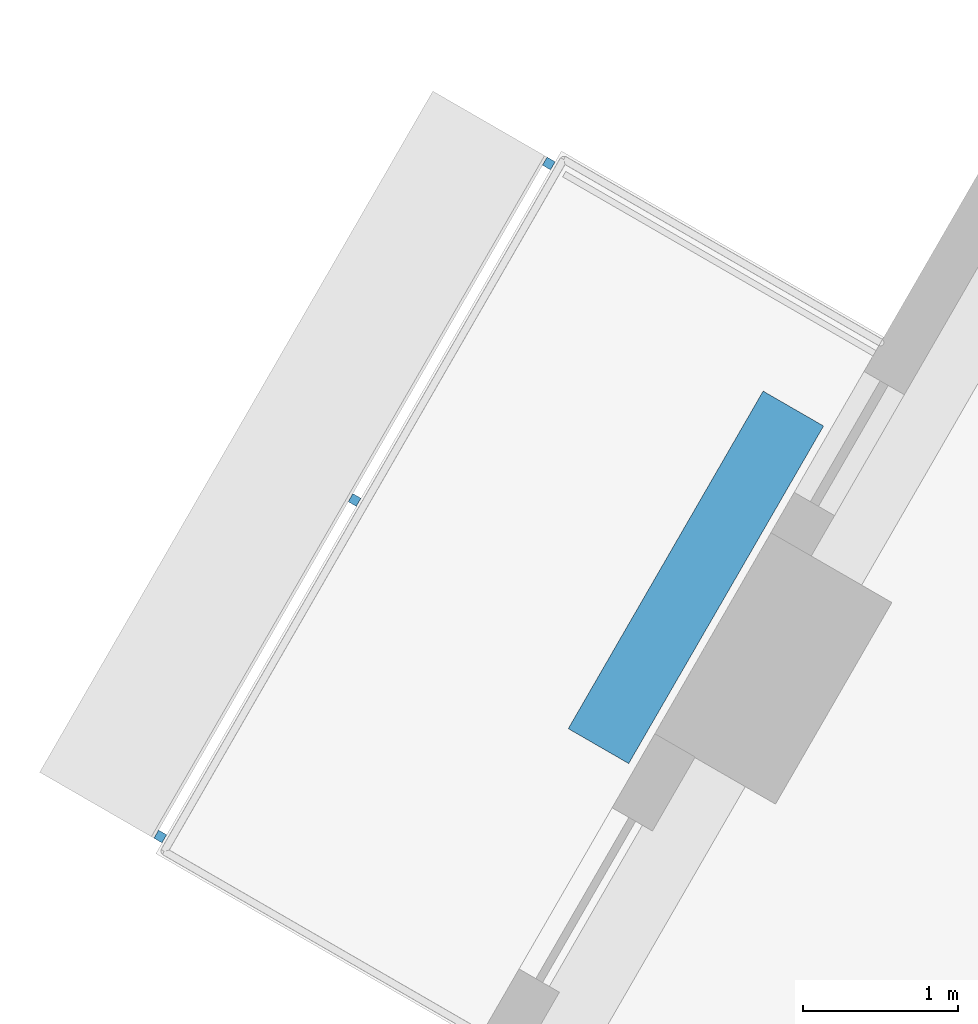
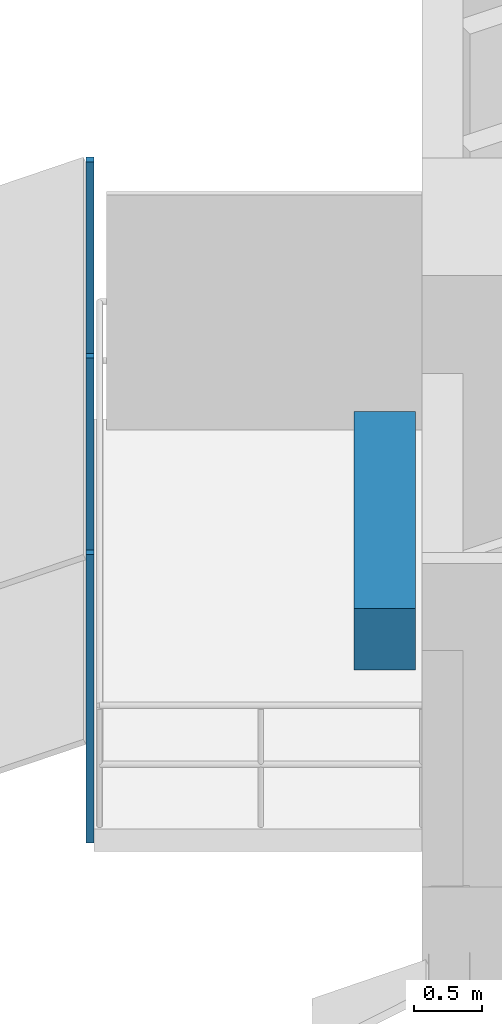
# One storey, part 10 of 13: 4 discrete accessories.
"""IFC4 building model written with IfcOpenShell, lengths in metres."""

from ifc_helpers import new_model, si_unit, direction, frame, origin, origin_2d, place, context, subcontext, project, spatial, rectangle, extrude, material, type_object, element, save


model = new_model("IFC4")

# Units and contexts
model_context = context("Model", 3, precision=1e-05, world=origin(), true_north=direction((0.0, 1.0)))
body_context = subcontext(model_context, "Body", "Model", "MODEL_VIEW")
ifc_project = project(units=[si_unit("LENGTHUNIT", "METRE"), si_unit("AREAUNIT", "SQUARE_METRE"), si_unit("VOLUMEUNIT", "CUBIC_METRE"), si_unit("PLANEANGLEUNIT", "RADIAN"), si_unit("MASSUNIT", "GRAM", prefix="KILO")], contexts=[model_context])

# Site, building, storey
site_placement = place(None, origin())
site = spatial("IfcSite", under=ifc_project, at=site_placement, CompositionType="ELEMENT")
building_placement = place(site_placement, origin())
building = spatial("IfcBuilding", under=site, at=building_placement, Name="Nakaniwa Court", CompositionType="ELEMENT")
storey_placement = place(building_placement, frame((0.0, 0.0, 48.0)))
storey = spatial("IfcBuildingStorey", under=building, at=storey_placement, Name="L12", CompositionType="ELEMENT", Elevation=48.0)

# Discrete accessories
ifc_material_1 = material(Name="Black powder-coated steel bracket S275", Category="steel")
discrete_accessory_type_1 = type_object("IfcDiscreteAccessoryType", Name="Black metal louvre bracket", PredefinedType="BRACKET", material=ifc_material_1)
for number, where, z_axis, x_axis, name in (
    (1, (58.2451171875, 95.1796875, -0.22998046875), (0.0, 0.0, 1.0), (-0.499974304289, -0.866040238702, 0.0), "L12 louvre bracket 01 1"),
    (2, (56.992919921875, 93.010498046875, -0.22998046875), (0.0, 0.0, 1.0), (-0.499974304289, -0.866040238702, 0.0), "L12 louvre bracket 01 2"),
    (3, (55.740478515625, 90.84130859375, -0.22998046875), (0.0, 0.0, 1.0), (-0.499974304289, -0.866040238702, 0.0), "L12 louvre bracket 01 3"),
):
    element("IfcDiscreteAccessory", number, at=place(storey_placement, frame(where, z_axis=z_axis, x_axis=x_axis)), inside=storey, type_object=discrete_accessory_type_1, Name=name, PredefinedType="BRACKET", context=body_context, shape_type="SweptSolid", body=[
        extrude(rectangle(XDim=0.06005859375, YDim=0.06005859375, at=origin_2d()), origin(), (0.0, 0.0, 1.0), 2.5751953125),
    ])
ifc_material_2 = material(Name="Precast concrete C40/50 planter with planted soil", Category="concrete")
discrete_accessory_type_2 = type_object("IfcDiscreteAccessoryType", Name="Planter box charcoal concrete", PredefinedType="USERDEFINED", material=ifc_material_2)
discrete_accessory_placement = place(storey_placement, frame((59.193359375, 92.511962890625, -0.0498046875), z_axis=(0.0, 0.0, 1.0), x_axis=(-0.499974304289, -0.866040238702, 0.0)))
element("IfcDiscreteAccessory", 4, at=discrete_accessory_placement, inside=storey, type_object=discrete_accessory_type_2, Name="L12 balcony PLANTER 01", ObjectType="PLANTER", PredefinedType="USERDEFINED", context=body_context, shape_type="SweptSolid", body=[
    extrude(rectangle(XDim=2.5126953125, YDim=0.449951171875, at=origin_2d()), origin(), (0.0, 0.0, 1.0), 0.550048828125),
])

save(model, "model.ifc")
